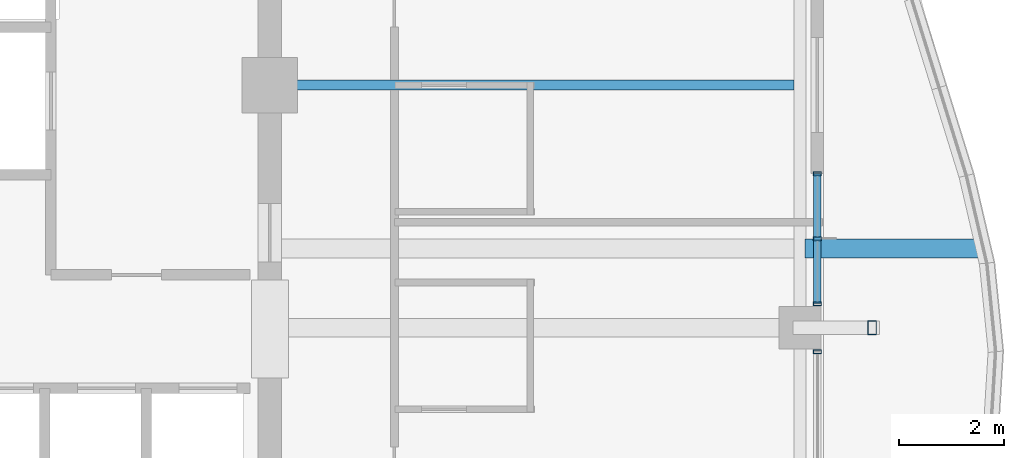
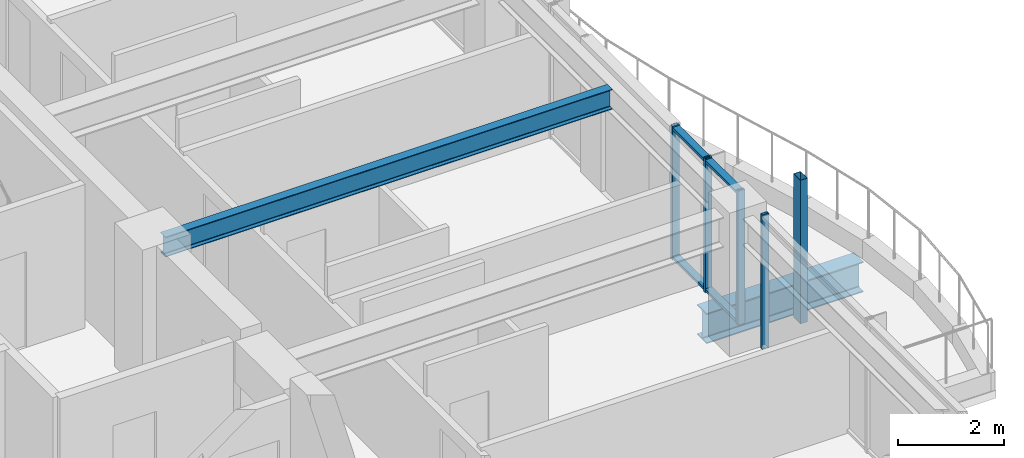
# One storey, part 13 of 35: 7 members, 2 beams, 2 elements without a shape of their own.
"""IFC4 building model written with IfcOpenShell, lengths in metres."""

from ifc_helpers import new_model, si_unit, direction, frame, origin, origin_2d, place, context, subcontext, project, spatial, hollow_rectangle, i_section, extrude, material, material_profile, profile_set, type_object, element, aggregate, save


model = new_model("IFC4")

# Units and contexts
model_context = context("Model", 3, precision=1e-05, world=origin(), true_north=direction((0.0, 1.0)))
body_context = subcontext(model_context, "Body", "Model", "MODEL_VIEW")
ifc_project = project(units=[si_unit("LENGTHUNIT", "METRE"), si_unit("AREAUNIT", "SQUARE_METRE"), si_unit("VOLUMEUNIT", "CUBIC_METRE"), si_unit("PLANEANGLEUNIT", "RADIAN"), si_unit("MASSUNIT", "GRAM", prefix="KILO")], contexts=[model_context])

# Site, building, storey
site_placement = place(None, origin())
site = spatial("IfcSite", under=ifc_project, at=site_placement, CompositionType="ELEMENT")
building_placement = place(site_placement, origin())
building = spatial("IfcBuilding", under=site, at=building_placement, Name="Kolvaren Belvedere", CompositionType="ELEMENT")
storey_placement = place(building_placement, frame((0.0, 0.0, 216.300048828125)))
storey = spatial("IfcBuildingStorey", under=building, at=storey_placement, Name="L63", CompositionType="ELEMENT", Elevation=216.300048828125)

# Beams
ifc_material_1 = material(Name="Structural steel ASTM A992 Grade 50", Category="steel")
ifc_material_profile_1 = material_profile(ifc_material_1, i_section(OverallWidth=0.35498046875, OverallDepth=0.696044921875, WebThickness=0.015380859375, FlangeThickness=0.02490234375, FilletRadius=0.02197265625, at=origin_2d()), Name="W27X146")
ifc_profile_set_1 = profile_set([ifc_material_profile_1], Name="Structural steel ASTM A992 Grade 50")
beam_type_1 = type_object("IfcBeamType", Name="BM-CANT-BAL", PredefinedType="BEAM", material=ifc_profile_set_1)
beam_1_placement = place(storey_placement, frame((20.044921875, -3.10009765625, -0.568115234375), z_axis=(1.0, 0.0, 0.0), x_axis=(0.0, 1.0, 0.0)))
element("IfcBeam", 1, at=beam_1_placement, inside=storey, type_object=beam_type_1, Name="L63 Planted Balcony Cantilever BAL-E-1", PredefinedType="BEAM", context=body_context, shape_type="SweptSolid", body=[
    extrude(i_section(OverallWidth=0.35498046875, OverallDepth=0.696044921875, WebThickness=0.015380859375, FlangeThickness=0.02490234375, FilletRadius=0.02197265625, at=origin_2d()), origin(), (0.0, 0.0, 1.0), 3.406494140625),
])
ifc_material_2 = material(Name="Structural steel ASTM A992 Grade 50", Category="steel")
ifc_material_profile_2 = material_profile(ifc_material_2, i_section(OverallWidth=0.19091796875, OverallDepth=0.4599609375, WebThickness=0.010009765625, FlangeThickness=0.01611328125, FilletRadius=0.014892578125, at=origin_2d()), Name="W18X55")
ifc_profile_set_2 = profile_set([ifc_material_profile_2], Name="Structural steel ASTM A992 Grade 50")
beam_type_2 = type_object("IfcBeamType", Name="BM-JOIST-W18X55", PredefinedType="BEAM", material=ifc_profile_set_2)
beam_2_placement = place(storey_placement, frame((10.125, 0.0, 2.849853515625), z_axis=(1.0, 0.0, 0.0), x_axis=(0.0, 1.0, 0.0)))
element("IfcBeam", 2, at=beam_2_placement, inside=storey, type_object=beam_type_2, Name="L63 East Centre Floor Beam", PredefinedType="BEAM", context=body_context, shape_type="SweptSolid", body=[
    extrude(i_section(OverallWidth=0.19091796875, OverallDepth=0.4599609375, WebThickness=0.010009765625, FlangeThickness=0.01611328125, FilletRadius=0.014892578125, at=origin_2d()), origin(), (0.0, 0.0, 1.0), 9.71044921875),
])

# Curtain wall, members
ifc_material_3 = material(Name="Anodised pale-metal aluminium AA 6063-T6", Category="aluminium")
curtain_wall_type = type_object("IfcCurtainWallType", Name="CW-Z5-HIGH", PredefinedType="NOTDEFINED", material=ifc_material_3)
curtain_wall_1_placement = place(storey_placement, origin())
curtain_wall_1 = element("IfcCurtainWall", 3, at=curtain_wall_1_placement, inside=storey, type_object=curtain_wall_type, Name="L63 Unitised Curtain Wall FCW-L63-E2-B1", PredefinedType="NOTDEFINED")
ifc_material_4 = material(Name="Anodised pale-metal aluminium AA 6063-T6", Category="aluminium")
ifc_material_profile_3 = material_profile(ifc_material_4, hollow_rectangle(XDim=0.070068359375, YDim=0.14990234375, WallThickness=0.004150390625, at=origin_2d()), Name="ALU-MUL-150X70")
ifc_profile_set_3 = profile_set([ifc_material_profile_3], Name="Anodised pale-metal aluminium AA 6063-T6")
member_type_1 = type_object("IfcMemberType", Name="CW-MUL-150", PredefinedType="MULLION", material=ifc_profile_set_3)
member_1_placement = place(storey_placement, frame((20.280029296875, -1.679931640625, 0.0), z_axis=(0.0, 0.0, 1.0), x_axis=(0.0, 1.0, 0.0)))
member_1 = element("IfcMember", 4, at=member_1_placement, type_object=member_type_1, Name="FCW-L63-E2-B1 Unitised Mullion 1", PredefinedType="MULLION", context=body_context, shape_type="SweptSolid", body=[
    extrude(hollow_rectangle(XDim=0.070068359375, YDim=0.14990234375, WallThickness=0.004150390625, at=origin_2d()), origin(), (0.0, 0.0, 1.0), 3.079833984375),
])
member_2_placement = place(storey_placement, frame((20.280029296875, -2.91259765625, 0.0), z_axis=(0.0, 0.0, 1.0), x_axis=(0.0, 1.0, 0.0)))
member_2 = element("IfcMember", 5, at=member_2_placement, type_object=member_type_1, Name="FCW-L63-E2-B1 Unitised Mullion 2", PredefinedType="MULLION", context=body_context, shape_type="SweptSolid", body=[
    extrude(hollow_rectangle(XDim=0.070068359375, YDim=0.14990234375, WallThickness=0.004150390625, at=origin_2d()), origin(), (0.0, 0.0, 1.0), 3.079833984375),
])
member_3_placement = place(storey_placement, frame((20.280029296875, -4.14501953125, 0.0), z_axis=(0.0, 0.0, 1.0), x_axis=(0.0, 1.0, 0.0)))
member_3 = element("IfcMember", 6, at=member_3_placement, type_object=member_type_1, Name="FCW-L63-E2-B1 Unitised Mullion 3", PredefinedType="MULLION", context=body_context, shape_type="SweptSolid", body=[
    extrude(hollow_rectangle(XDim=0.070068359375, YDim=0.14990234375, WallThickness=0.004150390625, at=origin_2d()), origin(), (0.0, 0.0, 1.0), 3.079833984375),
])

# Curtain wall, member
curtain_wall_2_placement = place(storey_placement, origin())
curtain_wall_2 = element("IfcCurtainWall", 7, at=curtain_wall_2_placement, inside=storey, type_object=curtain_wall_type, Name="L63 Unitised Curtain Wall FCW-L63-E2-B2", PredefinedType="NOTDEFINED")
member_4_placement = place(storey_placement, frame((20.280029296875, -5.054931640625, 0.0), z_axis=(0.0, 0.0, 1.0), x_axis=(0.0, 1.0, 0.0)))
member_4 = element("IfcMember", 8, at=member_4_placement, type_object=member_type_1, Name="FCW-L63-E2-B2 Unitised Mullion 1", PredefinedType="MULLION", context=body_context, shape_type="SweptSolid", body=[
    extrude(hollow_rectangle(XDim=0.070068359375, YDim=0.14990234375, WallThickness=0.004150390625, at=origin_2d()), origin(), (0.0, 0.0, 1.0), 3.079833984375),
])
aggregate(curtain_wall_2, [member_4])

# Member
ifc_material_5 = material(Name="Anodised pale-metal aluminium AA 6063-T6", Category="aluminium")
ifc_material_profile_4 = material_profile(ifc_material_5, hollow_rectangle(XDim=0.06494140625, YDim=0.14990234375, WallThickness=0.00390625, at=origin_2d()), Name="ALU-TRN-150X65")
ifc_profile_set_4 = profile_set([ifc_material_profile_4], Name="Anodised pale-metal aluminium AA 6063-T6")
member_type_2 = type_object("IfcMemberType", Name="CW-TRN-150", PredefinedType="USERDEFINED", material=ifc_profile_set_4)
member_5_placement = place(storey_placement, frame((20.280029296875, -1.679931640625, 0.06005859375), z_axis=(0.0, -1.0, 0.0), x_axis=(0.0, 0.0, 1.0)))
member_5 = element("IfcMember", 9, at=member_5_placement, type_object=member_type_2, Name="FCW-L63-E2-B1 Sill Transom", ObjectType="TRANSOM", PredefinedType="USERDEFINED", context=body_context, shape_type="SweptSolid", body=[
    extrude(hollow_rectangle(XDim=0.06494140625, YDim=0.14990234375, WallThickness=0.00390625, at=origin_2d()), origin(), (0.0, 0.0, 1.0), 2.465087890625),
])

member_6_placement = place(storey_placement, frame((20.280029296875, -1.679931640625, 3.02001953125), z_axis=(0.0, -1.0, 0.0), x_axis=(0.0, 0.0, 1.0)))
member_6 = element("IfcMember", 10, at=member_6_placement, type_object=member_type_2, Name="FCW-L63-E2-B1 Head Transom", ObjectType="TRANSOM", PredefinedType="USERDEFINED", context=body_context, shape_type="SweptSolid", body=[
    extrude(hollow_rectangle(XDim=0.06494140625, YDim=0.14990234375, WallThickness=0.00390625, at=origin_2d()), origin(), (0.0, 0.0, 1.0), 2.465087890625),
])

aggregate(curtain_wall_1, [member_1, member_2, member_3, member_5, member_6])

ifc_material_6 = material(Name="Anodised pale-metal aluminium AA 6063-T6", Category="aluminium")
ifc_material_profile_5 = material_profile(ifc_material_6, hollow_rectangle(XDim=0.159912109375, YDim=0.260009765625, WallThickness=0.006591796875, at=origin_2d()), Name="ALU-PF-260X160")
ifc_profile_set_5 = profile_set([ifc_material_profile_5], Name="Anodised pale-metal aluminium AA 6063-T6")
member_type_3 = type_object("IfcMemberType", Name="PF-FRAME-260", PredefinedType="USERDEFINED", material=ifc_profile_set_5)
member_7_placement = place(storey_placement, frame((21.320068359375, -4.60009765625, 0.0), z_axis=(0.0, 0.0, 1.0), x_axis=(1.0, 0.0, 0.0)))
element("IfcMember", 11, at=member_7_placement, inside=storey, type_object=member_type_3, Name="L63 Outboard Picture-Frame Vertical E2", ObjectType="PICTURE FRAME FIN", PredefinedType="USERDEFINED", context=body_context, shape_type="SweptSolid", body=[
    extrude(hollow_rectangle(XDim=0.159912109375, YDim=0.260009765625, WallThickness=0.006591796875, at=origin_2d()), origin(), (0.0, 0.0, 1.0), 3.300048828125),
])

save(model, "model.ifc")
